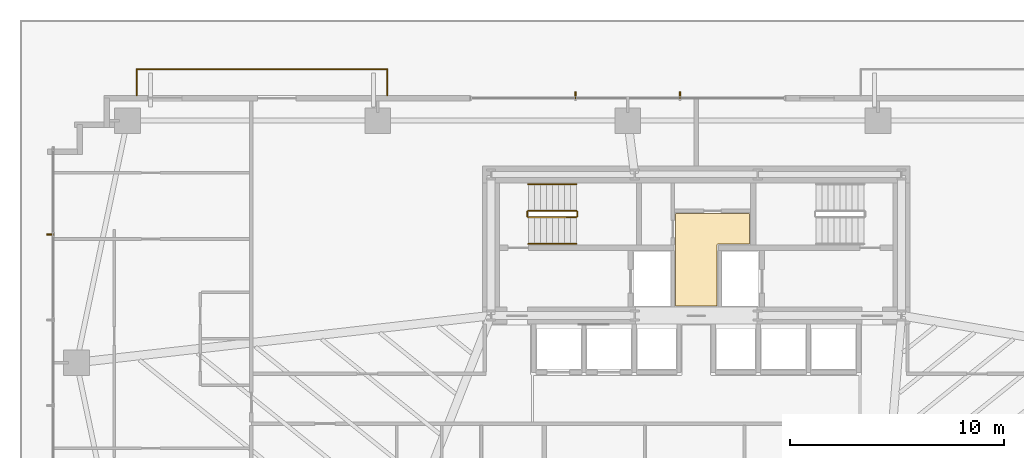
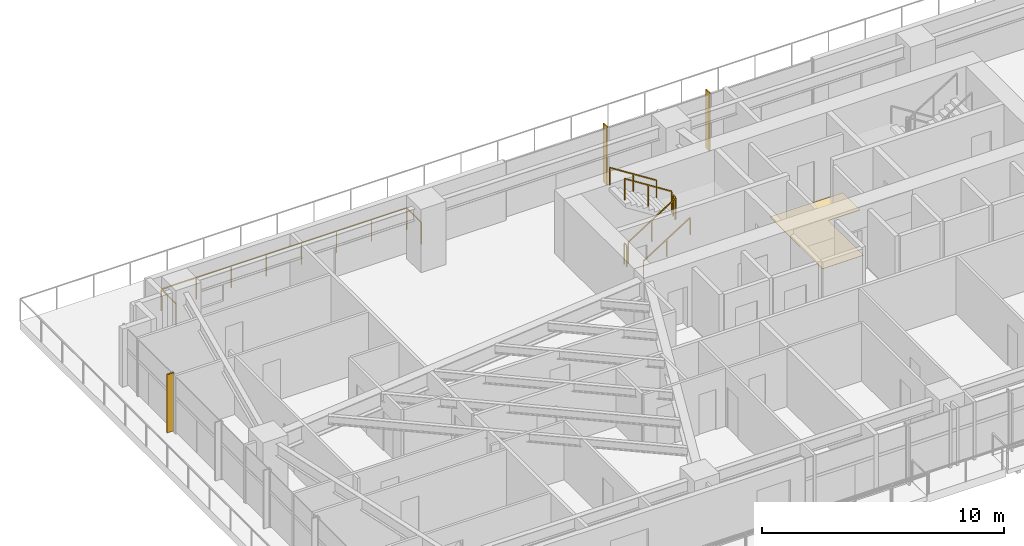
# One storey, part 25 of 26: 7 railings, 3 shading devices, 1 covering.
"""IFC4 building model written with IfcOpenShell, lengths in metres."""

from ifc_helpers import new_model, si_unit, direction, frame, origin, origin_2d, place, context, subcontext, project, spatial, polyline, rectangle, outline, extrude, source, transform, mapped, material, layer, layer_set, type_object, type_shapes, element, save


model = new_model("IFC4")

# Units and contexts
model_context = context("Model", 3, precision=1e-05, world=origin(), true_north=direction((0.0, 1.0)))
body_context = subcontext(model_context, "Body", "Model", "MODEL_VIEW")
ifc_project = project(units=[si_unit("LENGTHUNIT", "METRE"), si_unit("AREAUNIT", "SQUARE_METRE"), si_unit("VOLUMEUNIT", "CUBIC_METRE"), si_unit("PLANEANGLEUNIT", "RADIAN"), si_unit("MASSUNIT", "GRAM", prefix="KILO")], contexts=[model_context])

# Site, building, storey
site_placement = place(None, origin())
site = spatial("IfcSite", under=ifc_project, at=site_placement, CompositionType="ELEMENT")
building_placement = place(site_placement, origin())
building = spatial("IfcBuilding", under=site, at=building_placement, Name="Astriad Promenade Condominiums", CompositionType="ELEMENT")
storey_placement = place(building_placement, frame((0.0, 0.0, 23.0)))
storey = spatial("IfcBuildingStorey", under=building, at=storey_placement, Name="L05", CompositionType="ELEMENT", Elevation=23.0)

# Covering
ifc_material_1 = material(Name="Polished Lakefront Terrazzo Flooring")
ifc_layer = layer(ifc_material_1, 0.02001953125)
ifc_layer_set = layer_set([ifc_layer], Name="Polished Lakefront Terrazzo Flooring")
covering_type = type_object("IfcCoveringType", Name="COV-FLOR-TERRAZZO-20", PredefinedType="FLOORING", material=ifc_layer_set)
covering_placement = place(storey_placement, origin())
element("IfcCovering", 1, at=covering_placement, inside=storey, type_object=covering_type, Name="FLR-L05-CSL", PredefinedType="FLOORING", context=body_context, shape_type="SweptSolid", body=[
    extrude(outline(polyline([(36.97998046875, 20.699951171875), (36.97998046875, 17.840087890625), (35.02001953125, 17.840087890625), (35.02001953125, 22.179931640625), (38.5, 22.179931640625), (38.5, 20.739990234375), (37.02001953125, 20.739990234375), (37.01611328125, 20.73974609375), (37.01220703125, 20.7392578125), (37.00830078125, 20.73828125), (37.004638671875, 20.737060546875), (37.001220703125, 20.7353515625), (36.997802734375, 20.7333984375), (36.99462890625, 20.73095703125), (36.99169921875, 20.728271484375), (36.989013671875, 20.725341796875), (36.98681640625, 20.72216796875), (36.984619140625, 20.718994140625), (36.98291015625, 20.71533203125), (36.981689453125, 20.711669921875), (36.980712890625, 20.707763671875), (36.980224609375, 20.703857421875), (36.97998046875, 20.699951171875)])), origin(), (0.0, 0.0, 1.0), 0.02001953125),
])

# Shading devices
ifc_material_2 = material(Name="Anodised aluminium 6063-T6 Black Fin", Category="aluminium")
shading_device_type = type_object("IfcShadingDeviceType", Name="FIN-BLACK-320", PredefinedType="USERDEFINED", material=ifc_material_2)
shared_shape_1 = source(origin(), body_context, "Body", "SweptSolid", [
    extrude(rectangle(XDim=0.06494140625, YDim=0.320068359375, at=origin_2d()), origin(), (0.0, 0.0, 1.0), 2.93994140625),
])
type_shapes(shading_device_type, [shared_shape_1])
for number, where, z_axis, x_axis, name in (
    (2, (5.7900390625, 21.199951171875, 0.0), (0.0, 0.0, 1.0), (0.0, 1.0, 0.0), "CW-L05-W-FIN-04"),
    (3, (30.35009765625, 27.7099609375, 0.0), (0.0, 0.0, 1.0), (1.0, 0.0, 0.0), "CW-L05-N-FIN-01"),
    (4, (35.25, 27.7099609375, 0.0), (0.0, 0.0, 1.0), (1.0, 0.0, 0.0), "CW-L05-N-FIN-02"),
):
    element("IfcShadingDevice", number, at=place(storey_placement, frame(where, z_axis=z_axis, x_axis=x_axis)), inside=storey, type_object=shading_device_type, Name=name, ObjectType="FIN", PredefinedType="USERDEFINED", context=body_context, shape_type="MappedRepresentation", body=[
        mapped(shared_shape_1, transform((0.0, 0.0, 0.0), scale=1.0)),
    ])

# Railings
ifc_material_3 = material(Name="Laminated Glass and Stainless Steel Balustrade", Category="steel")
railing_type_1 = type_object("IfcRailingType", Name="GRD-BALC-1120", PredefinedType="BALUSTRADE", material=ifc_material_3)
shared_shape_2 = source(origin(), body_context, "Body", "SweptSolid", [
    extrude(rectangle(XDim=0.048095703125, YDim=0.048095703125, at=origin_2d()), frame((0.0, 0.0, 1.09619140625), z_axis=(0.0, 1.0, 0.0), x_axis=(-1.0, 0.0, 0.0)), (0.0, 0.0, 1.0), 1.219970703125),
    extrude(rectangle(XDim=0.048095703125, YDim=0.048095703125, at=origin_2d()), frame((0.0, 1.219970703125, 1.09619140625), z_axis=(-1.0, 0.0, 0.0), x_axis=(0.0, -1.0, 0.0)), (0.0, 0.0, 1.0), 11.72216796875),
    extrude(rectangle(XDim=0.048095703125, YDim=0.048095703125, at=origin_2d()), frame((-11.72216796875, 1.219970703125, 1.09619140625), z_axis=(0.0, -1.0, 0.0), x_axis=(1.0, 0.0, 0.0)), (0.0, 0.0, 1.0), 1.219970703125),
    extrude(rectangle(XDim=0.0419921875, YDim=0.0419921875, at=origin_2d()), origin(), (0.0, 0.0, 1.0), 1.072021484375),
    extrude(rectangle(XDim=0.0419921875, YDim=0.0419921875, at=origin_2d()), frame((0.0, 1.219970703125, 0.0)), (0.0, 0.0, 1.0), 1.072021484375),
    extrude(rectangle(XDim=0.0419921875, YDim=0.0419921875, at=origin_2d()), frame((-1.674560546875, 1.219970703125, 0.0)), (0.0, 0.0, 1.0), 1.072021484375),
    extrude(rectangle(XDim=0.0419921875, YDim=0.0419921875, at=origin_2d()), frame((-3.34912109375, 1.219970703125, 0.0)), (0.0, 0.0, 1.0), 1.072021484375),
    extrude(rectangle(XDim=0.0419921875, YDim=0.0419921875, at=origin_2d()), frame((-5.023681640625, 1.219970703125, 0.0)), (0.0, 0.0, 1.0), 1.072021484375),
    extrude(rectangle(XDim=0.0419921875, YDim=0.0419921875, at=origin_2d()), frame((-6.698486328125, 1.219970703125, 0.0)), (0.0, 0.0, 1.0), 1.072021484375),
    extrude(rectangle(XDim=0.0419921875, YDim=0.0419921875, at=origin_2d()), frame((-8.373046875, 1.219970703125, 0.0)), (0.0, 0.0, 1.0), 1.072021484375),
    extrude(rectangle(XDim=0.0419921875, YDim=0.0419921875, at=origin_2d()), frame((-10.047607421875, 1.219970703125, 0.0)), (0.0, 0.0, 1.0), 1.072021484375),
    extrude(rectangle(XDim=0.0419921875, YDim=0.0419921875, at=origin_2d()), frame((-11.72216796875, 1.219970703125, 0.0)), (0.0, 0.0, 1.0), 1.072021484375),
    extrude(rectangle(XDim=0.0419921875, YDim=0.0419921875, at=origin_2d()), frame((-11.72216796875, 0.0, 0.0)), (0.0, 0.0, 1.0), 1.072021484375),
])
type_shapes(railing_type_1, [shared_shape_2])
railing_1_placement = place(storey_placement, frame((21.550048828125, 27.699951171875, 0.0)))
element("IfcRailing", 5, at=railing_1_placement, inside=storey, type_object=railing_type_1, Name="GRD-BALC-L05-NW", PredefinedType="BALUSTRADE", context=body_context, shape_type="MappedRepresentation", body=[
    mapped(shared_shape_2, transform((0.0, 0.0, 0.0), scale=1.0)),
])
ifc_material_4 = material(Name="Painted Galvanised Steel Guardrail", Category="steel")
railing_type_2 = type_object("IfcRailingType", Name="GRD-STAIR-1100", PredefinedType="GUARDRAIL", material=ifc_material_4)
shared_shape_3 = source(origin(), body_context, "Body", "SweptSolid", [
    extrude(rectangle(XDim=0.048095703125, YDim=0.048095703125, at=origin_2d()), frame((0.0, 0.0, 1.076171875), z_axis=(0.0, 1.0, 0.0), x_axis=(-1.0, 0.0, 0.0)), (0.0, 0.0, 1.0), 0.199951171875),
    extrude(rectangle(XDim=0.0419921875, YDim=0.0419921875, at=origin_2d()), origin(), (0.0, 0.0, 1.0), 1.052001953125),
    extrude(rectangle(XDim=0.0419921875, YDim=0.0419921875, at=origin_2d()), frame((0.0, 0.199951171875, 0.0)), (0.0, 0.0, 1.0), 1.052001953125),
])
for number, where, name in (
    (6, (30.43994140625, 22.050048828125, 1.60009765625), "L05 ST-1 stair guard 2"),
    (7, (28.10009765625, 22.050048828125, 0.0), "L05 ST-1 stair guard 4"),
):
    element("IfcRailing", number, at=place(storey_placement, frame(where)), inside=storey, type_object=railing_type_2, Name=name, PredefinedType="GUARDRAIL", context=body_context, shape_type="MappedRepresentation", body=[
        mapped(shared_shape_3, transform((0.0, 0.0, 0.0), scale=1.0)),
    ])
shared_shape_4 = source(origin(), body_context, "Body", "SweptSolid", [
    extrude(rectangle(XDim=0.048095703125, YDim=0.048095703125, at=origin_2d()), frame((0.0, 0.0, 1.076171875), z_axis=(0.84418770128, 0.0, 0.536047689118), x_axis=(0.0, 1.0, 0.0)), (0.0, 0.0, 1.0), 2.6533203125),
    extrude(rectangle(XDim=0.0419921875, YDim=0.0419921875, at=origin_2d()), origin(), (0.0, 0.0, 1.0), 1.052001953125),
    extrude(rectangle(XDim=0.0419921875, YDim=0.0419921875, at=origin_2d()), frame((1.1201171875, 0.0, 0.711181640625)), (0.0, 0.0, 1.0), 1.052001953125),
    extrude(rectangle(XDim=0.0419921875, YDim=0.0419921875, at=origin_2d()), frame((2.239990234375, 0.0, 1.42236328125)), (0.0, 0.0, 1.0), 1.052001953125),
])
railing_2_placement = place(storey_placement, frame((28.14990234375, 22.0, 0.177734375)))
element("IfcRailing", 8, at=railing_2_placement, inside=storey, type_object=railing_type_2, Name="L05 ST-1 stair guard 1", PredefinedType="GUARDRAIL", context=body_context, shape_type="MappedRepresentation", body=[
    mapped(shared_shape_4, transform((0.0, 0.0, 0.0), scale=1.0)),
])
shared_shape_5 = source(origin(), body_context, "Body", "SweptSolid", [
    extrude(rectangle(XDim=0.048095703125, YDim=0.048095703125, at=origin_2d()), frame((0.0, 0.0, 1.076171875), z_axis=(-0.8442293374, 0.0, 0.53598211339), x_axis=(0.0, -1.0, 0.0)), (0.0, 0.0, 1.0), 2.6533203125),
    extrude(rectangle(XDim=0.0419921875, YDim=0.0419921875, at=origin_2d()), origin(), (0.0, 0.0, 1.0), 1.052001953125),
    extrude(rectangle(XDim=0.0419921875, YDim=0.0419921875, at=origin_2d()), frame((-1.1201171875, 0.0, 0.7109375)), (0.0, 0.0, 1.0), 1.052001953125),
    extrude(rectangle(XDim=0.0419921875, YDim=0.0419921875, at=origin_2d()), frame((-2.239990234375, 0.0, 1.422119140625)), (0.0, 0.0, 1.0), 1.052001953125),
])
type_shapes(railing_type_2, [shared_shape_3, shared_shape_4, shared_shape_5])
railing_3_placement = place(storey_placement, frame((30.389892578125, 22.300048828125, 1.77783203125)))
element("IfcRailing", 9, at=railing_3_placement, inside=storey, type_object=railing_type_2, Name="L05 ST-1 stair guard 3", PredefinedType="GUARDRAIL", context=body_context, shape_type="MappedRepresentation", body=[
    mapped(shared_shape_5, transform((0.0, 0.0, 0.0), scale=1.0)),
])
ifc_material_5 = material(Name="Brushed Stainless Steel Handrail", Category="steel")
railing_type_3 = type_object("IfcRailingType", Name="HRL-STAIR-920", PredefinedType="HANDRAIL", material=ifc_material_5)
shared_shape_6 = source(origin(), body_context, "Body", "SweptSolid", [
    extrude(rectangle(XDim=0.048095703125, YDim=0.048095703125, at=origin_2d()), frame((0.0, 0.0, 0.8759765625), z_axis=(0.84418770128, 0.0, 0.536047689118), x_axis=(0.0, 1.0, 0.0)), (0.0, 0.0, 1.0), 2.6533203125),
    extrude(rectangle(XDim=0.0419921875, YDim=0.0419921875, at=origin_2d()), origin(), (0.0, 0.0, 1.0), 0.851806640625),
    extrude(rectangle(XDim=0.0419921875, YDim=0.0419921875, at=origin_2d()), frame((1.1201171875, 0.0, 0.711181640625)), (0.0, 0.0, 1.0), 0.851806640625),
    extrude(rectangle(XDim=0.0419921875, YDim=0.0419921875, at=origin_2d()), frame((2.239990234375, 0.0, 1.42236328125)), (0.0, 0.0, 1.0), 0.851806640625),
])
railing_4_placement = place(storey_placement, frame((28.14990234375, 20.75, 0.177734375)))
element("IfcRailing", 10, at=railing_4_placement, inside=storey, type_object=railing_type_3, Name="L05 ST-1 stair handrail 1", PredefinedType="HANDRAIL", context=body_context, shape_type="MappedRepresentation", body=[
    mapped(shared_shape_6, transform((0.0, 0.0, 0.0), scale=1.0)),
])
shared_shape_7 = source(origin(), body_context, "Body", "SweptSolid", [
    extrude(rectangle(XDim=0.048095703125, YDim=0.048095703125, at=origin_2d()), frame((0.0, 0.0, 0.8759765625), z_axis=(-0.8442293374, 0.0, 0.53598211339), x_axis=(0.0, -1.0, 0.0)), (0.0, 0.0, 1.0), 2.6533203125),
    extrude(rectangle(XDim=0.0419921875, YDim=0.0419921875, at=origin_2d()), origin(), (0.0, 0.0, 1.0), 0.851806640625),
    extrude(rectangle(XDim=0.0419921875, YDim=0.0419921875, at=origin_2d()), frame((-1.1201171875, 0.0, 0.7109375)), (0.0, 0.0, 1.0), 0.851806640625),
    extrude(rectangle(XDim=0.0419921875, YDim=0.0419921875, at=origin_2d()), frame((-2.239990234375, 0.0, 1.422119140625)), (0.0, 0.0, 1.0), 0.851806640625),
])
type_shapes(railing_type_3, [shared_shape_6, shared_shape_7])
railing_5_placement = place(storey_placement, frame((30.389892578125, 23.550048828125, 1.77783203125)))
element("IfcRailing", 11, at=railing_5_placement, inside=storey, type_object=railing_type_3, Name="L05 ST-1 stair handrail 2", PredefinedType="HANDRAIL", context=body_context, shape_type="MappedRepresentation", body=[
    mapped(shared_shape_7, transform((0.0, 0.0, 0.0), scale=1.0)),
])

save(model, "model.ifc")
